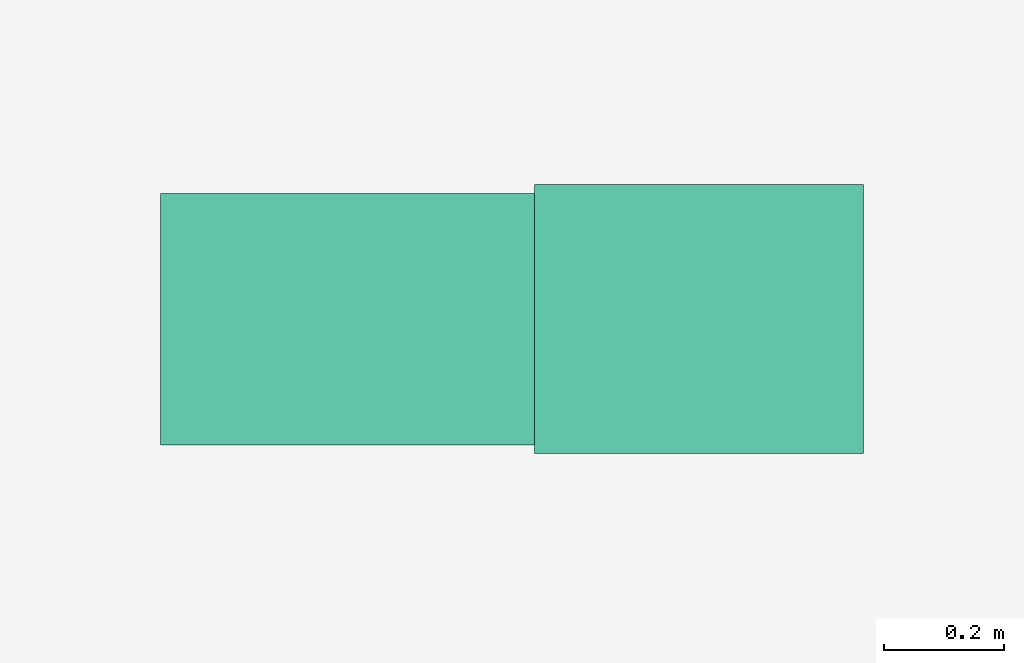
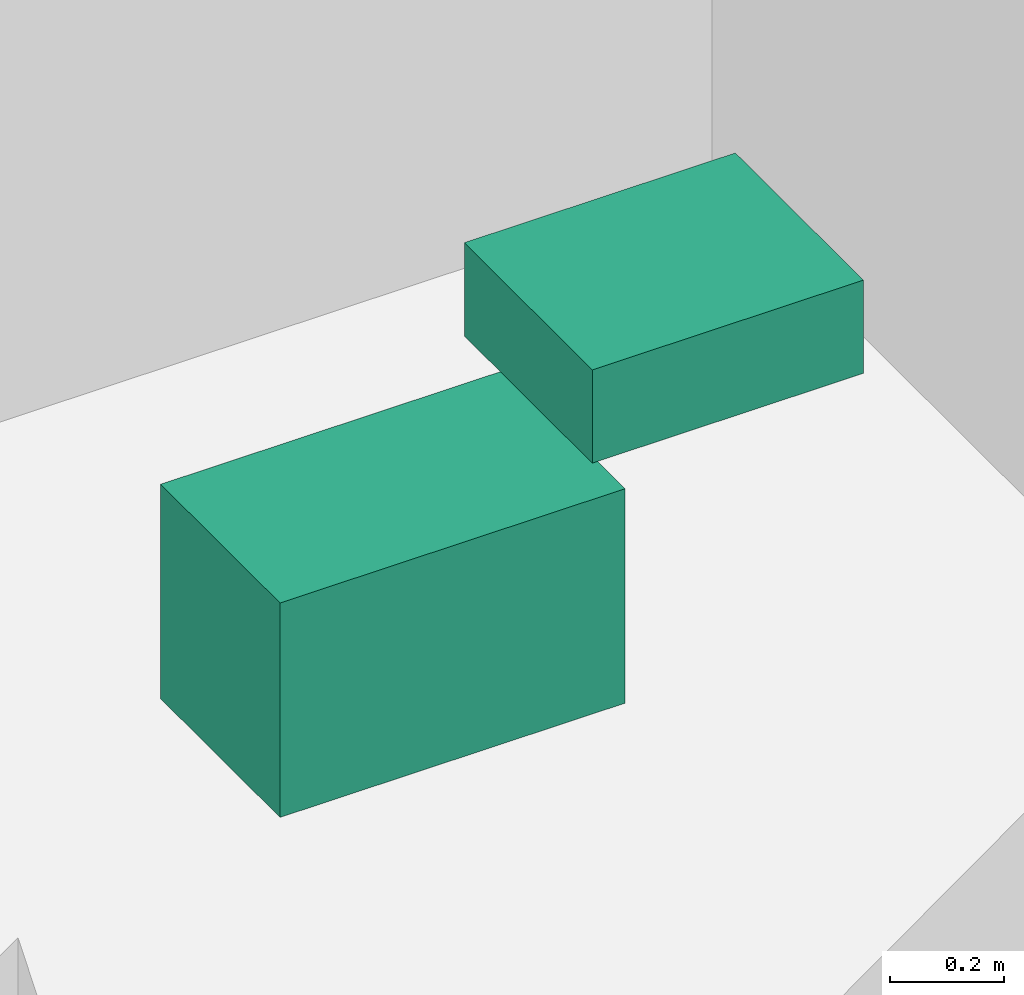
# One storey, part 25 of 25: 2 sanitary terminals.
"""IFC4 building model written with IfcOpenShell, lengths in metres."""

import ifcopenshell
import ifcopenshell.guid

model = None  # the IFC model being written
_history = None  # IfcOwnerHistory: only IFC2X3 demands one
_inside = {}  # id of a spatial element -> (the spatial element, [elements in it])
_under = {}  # id of a project, library or spatial element -> (it, [spatial elements below it])
_declared = {}  # id of a project -> (the project, [libraries it declares])
_typed = {}  # id of a type object -> (the type object, [elements of that type])
_made_of = {}  # id of a material, layer set ... -> (it, [elements and type objects made of it])


def new_model(schema):
    """Start an empty IFC model of exactly this schema.

    Asked for "IFC4X3", IfcOpenShell would pick the latest addendum, in which some entities
    have other attributes; the version numbers below select the first issue.
    IFC2X3 requires an IfcOwnerHistory on every rooted entity: one is made here for all.
    """
    global model, _history
    if schema == "IFC4X3":
        model = ifcopenshell.file(schema_version=(4, 3, 0, 0))
    else:
        model = ifcopenshell.file(schema=schema)
    _inside.clear()
    _under.clear()
    _declared.clear()
    _typed.clear()
    _made_of.clear()
    _history = None
    if model.schema == "IFC2X3":
        org = make("IfcOrganization", Name="unknown")
        user = make(
            "IfcPersonAndOrganization",
            ThePerson=make("IfcPerson", FamilyName="unknown"),
            TheOrganization=org,
        )
        app = make(
            "IfcApplication",
            ApplicationDeveloper=org,
            Version="unknown",
            ApplicationFullName="unknown",
            ApplicationIdentifier="unknown",
        )
        _history = make(
            "IfcOwnerHistory",
            OwningUser=user,
            OwningApplication=app,
            ChangeAction="ADDED",
            CreationDate=0,
        )
    return model


def make(cls, **values):
    """One entity of the class cls with the attributes given. An attribute that is None is left unset."""
    return model.create_entity(
        cls, **{name: value for name, value in values.items() if value is not None}
    )


def rooted(cls, **values):
    """An entity with a GlobalId (a new one), such as an element, a storey or a relation."""
    return make(cls, GlobalId=ifcopenshell.guid.new(), OwnerHistory=_history, **values)


def si_unit(unit_type, name, prefix=None):
    """IfcSIUnit, for example si_unit("LENGTHUNIT", "METRE", prefix="MILLI")."""
    return make("IfcSIUnit", UnitType=unit_type, Prefix=prefix, Name=name)


def assignment(units):
    """IfcUnitAssignment: the units of a project."""
    return None if units is None else make("IfcUnitAssignment", Units=units)


def point(xyz):
    """IfcCartesianPoint."""
    return None if xyz is None else make("IfcCartesianPoint", Coordinates=xyz)


def direction(xyz):
    """IfcDirection."""
    return None if xyz is None else make("IfcDirection", DirectionRatios=xyz)


def frame(location, z_axis=None, x_axis=None):
    """IfcAxis2Placement3D, a coordinate frame: its origin and axes. An axis left out is left unset."""
    return make(
        "IfcAxis2Placement3D",
        Location=point(location),
        Axis=direction(z_axis),
        RefDirection=direction(x_axis),
    )


def frame_2d(location, x_axis=None):
    """IfcAxis2Placement2D, a coordinate frame in the plane: its origin and x axis."""
    return make(
        "IfcAxis2Placement2D", Location=point(location), RefDirection=direction(x_axis)
    )


def origin():
    """The frame at (0, 0, 0) with its axes left unset."""
    return frame((0.0, 0.0, 0.0))


def origin_2d():
    """The frame at (0, 0) in the plane with its x axis left unset."""
    return frame_2d((0.0, 0.0))


def place(relative_to, where):
    """IfcLocalPlacement: puts the frame where relative to a parent placement (None: the world)."""
    return make(
        "IfcLocalPlacement", PlacementRelTo=relative_to, RelativePlacement=where
    )


def context(
    kind, dimensions, precision=None, world=None, true_north=None, identifier=None
):
    """IfcGeometricRepresentationContext, for example the 3D "Model" context."""
    return make(
        "IfcGeometricRepresentationContext",
        ContextIdentifier=identifier,
        ContextType=kind,
        CoordinateSpaceDimension=dimensions,
        Precision=precision,
        WorldCoordinateSystem=world,
        TrueNorth=true_north,
    )


def subcontext(parent, identifier, kind, view, scale=None):
    """IfcGeometricRepresentationSubContext, for example "Body" below "Model"."""
    return make(
        "IfcGeometricRepresentationSubContext",
        ContextIdentifier=identifier,
        ContextType=kind,
        ParentContext=parent,
        TargetScale=scale,
        TargetView=view,
    )


def project(units=None, contexts=None):
    """IfcProject with its units and contexts."""
    return rooted(
        "IfcProject",
        Name="project",
        RepresentationContexts=contexts,
        UnitsInContext=assignment(units),
    )


def spatial(cls, under=None, at=None, **own):
    """A site, building, storey or space (cls), placed at a placement, below another one or the project."""
    s = rooted(cls, ObjectPlacement=at, **own)
    if under is not None:
        _under.setdefault(under.id(), (under, []))[1].append(s)
    return s


def profile(cls, at=None, kind="AREA", **sizes):
    """A parametric profile (cls). Its sizes go by their IFC names, for example OverallWidth=200.0."""
    return make(cls, ProfileType=kind, Position=at, **sizes)


def rectangle(**sizes):
    """IfcRectangleProfileDef."""
    return profile("IfcRectangleProfileDef", **sizes)


def extrude(swept, where, along, depth):
    """IfcExtrudedAreaSolid: the profile swept, set in the frame where, extruded along a direction by depth."""
    return make(
        "IfcExtrudedAreaSolid",
        SweptArea=swept,
        Position=where,
        ExtrudedDirection=direction(along),
        Depth=depth,
    )


def shape(context_of_items, identifier, shape_type, items):
    """IfcShapeRepresentation: the items that make up one representation, for example the "Body"."""
    return make(
        "IfcShapeRepresentation",
        ContextOfItems=context_of_items,
        RepresentationIdentifier=identifier,
        RepresentationType=shape_type,
        Items=items,
    )


def material(Name=None, Category=None):
    """IfcMaterial."""
    return make("IfcMaterial", Name=Name, Category=Category)


def made_of(thing, what):
    """Note that an element or type object is made of a material, layer set ...; save() writes the relation."""
    if what is not None:
        _made_of.setdefault(what.id(), (what, []))[1].append(thing)
    return thing


def type_object(cls, material=None, **own):
    """A type object (cls), such as IfcWallType, which elements share."""
    return made_of(rooted(cls, **own), material)


def element(
    cls,
    number,
    at=None,
    inside=None,
    cuts=None,
    type_object=None,
    material=None,
    context=None,
    identifier="Body",
    shape_type=None,
    held_by="IfcProductDefinitionShape",
    body=None,
    shapes=None,
    **own,
):
    """One element of the class cls, such as IfcWall. Its Tag is "e" and its number.

    at: its placement. inside: the storey or other place that contains it. cuts: it is an
    opening in that element (IfcRelVoidsElement). A single representation is given by context,
    identifier, shape_type and body (its items); several are given by shapes. held_by: the class
    of the entity that holds the representations. save() writes the other relations.
    """
    e = rooted(cls, Tag="e%d" % number, ObjectPlacement=at, **own)
    if body is not None:
        shapes = [shape(context, identifier, shape_type, body)]
    if shapes is not None:
        e.Representation = make(held_by, Representations=shapes)
    if inside is not None:
        _inside.setdefault(inside.id(), (inside, []))[1].append(e)
    if cuts is not None:
        rooted(
            "IfcRelVoidsElement", RelatingBuildingElement=cuts, RelatedOpeningElement=e
        )
    if type_object is not None:
        _typed.setdefault(type_object.id(), (type_object, []))[1].append(e)
    return made_of(e, material)


def aggregate(whole, parts):
    """IfcRelAggregates: a whole, such as a stair, and the parts it consists of."""
    return rooted("IfcRelAggregates", RelatingObject=whole, RelatedObjects=parts)


def save(model, path):
    """Write the relations noted so far, then the file.

    IfcRelAggregates (storeys below a building ...), IfcRelContainedInSpatialStructure (elements
    in a storey), IfcRelDefinesByType, IfcRelAssociatesMaterial and IfcRelDeclares: one each for
    every whole, place, type object, material and project.
    """
    for whole, parts in _under.values():
        aggregate(whole, parts)
    for where, things in _inside.values():
        rooted(
            "IfcRelContainedInSpatialStructure",
            RelatedElements=things,
            RelatingStructure=where,
        )
    for kind, things in _typed.values():
        rooted("IfcRelDefinesByType", RelatedObjects=things, RelatingType=kind)
    for what, things in _made_of.values():
        rooted("IfcRelAssociatesMaterial", RelatedObjects=things, RelatingMaterial=what)
    for by, libraries in _declared.values():
        rooted("IfcRelDeclares", RelatingContext=by, RelatedDefinitions=libraries)
    model.write(path)


model = new_model("IFC4")

# Units and contexts
model_context = context("Model", 3, precision=1e-05, world=origin(), true_north=direction((0.0, 1.0)))
body_context = subcontext(model_context, "Body", "Model", "MODEL_VIEW")
ifc_project = project(units=[si_unit("LENGTHUNIT", "METRE"), si_unit("AREAUNIT", "SQUARE_METRE"), si_unit("VOLUMEUNIT", "CUBIC_METRE"), si_unit("PLANEANGLEUNIT", "RADIAN"), si_unit("MASSUNIT", "GRAM", prefix="KILO")], contexts=[model_context])

# Site, building, storey
site_placement = place(None, origin())
site = spatial("IfcSite", under=ifc_project, at=site_placement, CompositionType="ELEMENT")
building_placement = place(site_placement, origin())
building = spatial("IfcBuilding", under=site, at=building_placement, Name="Surkhivell Harbour Commons", CompositionType="ELEMENT")
storey_placement = place(building_placement, frame((0.0, 0.0, 162.0)))
storey = spatial("IfcBuildingStorey", under=building, at=storey_placement, Name="L42", CompositionType="ELEMENT", Elevation=162.0)

# Sanitary terminals
ifc_material_1 = material(Name="Vitreous china washbasin", Category="other")
sanitary_terminal_type_1 = type_object("IfcSanitaryTerminalType", Name="SAN-BSN", PredefinedType="WASHHANDBASIN", material=ifc_material_1)
sanitary_terminal_1_placement = place(storey_placement, frame((1.89990234375, 0.14990234375, 0.72021484375), z_axis=(0.0, 0.0, 1.0), x_axis=(1.0, 0.0, 0.0)))
element("IfcSanitaryTerminal", 1, at=sanitary_terminal_1_placement, inside=storey, type_object=sanitary_terminal_type_1, Name="L42 Core Accessible WC Washbasin", PredefinedType="WASHHANDBASIN", context=body_context, shape_type="SweptSolid", body=[
    extrude(rectangle(XDim=0.550048828125, YDim=0.449951171875, at=origin_2d()), origin(), (0.0, 0.0, 1.0), 0.199951171875),
])
ifc_material_2 = material(Name="Vitreous china sanitaryware", Category="other")
sanitary_terminal_type_2 = type_object("IfcSanitaryTerminalType", Name="SAN-WC-ACC", PredefinedType="TOILETPAN", material=ifc_material_2)
sanitary_terminal_2_placement = place(storey_placement, frame((1.35009765625, 0.14990234375, 0.169921875), z_axis=(0.0, 0.0, 1.0), x_axis=(1.0, 0.0, 0.0)))
element("IfcSanitaryTerminal", 2, at=sanitary_terminal_2_placement, inside=storey, type_object=sanitary_terminal_type_2, Name="L42 Core Accessible WC", PredefinedType="TOILETPAN", context=body_context, shape_type="SweptSolid", body=[
    extrude(rectangle(XDim=0.699951171875, YDim=0.419921875, at=origin_2d()), origin(), (0.0, 0.0, 1.0), 0.4599609375),
])

save(model, "model.ifc")
